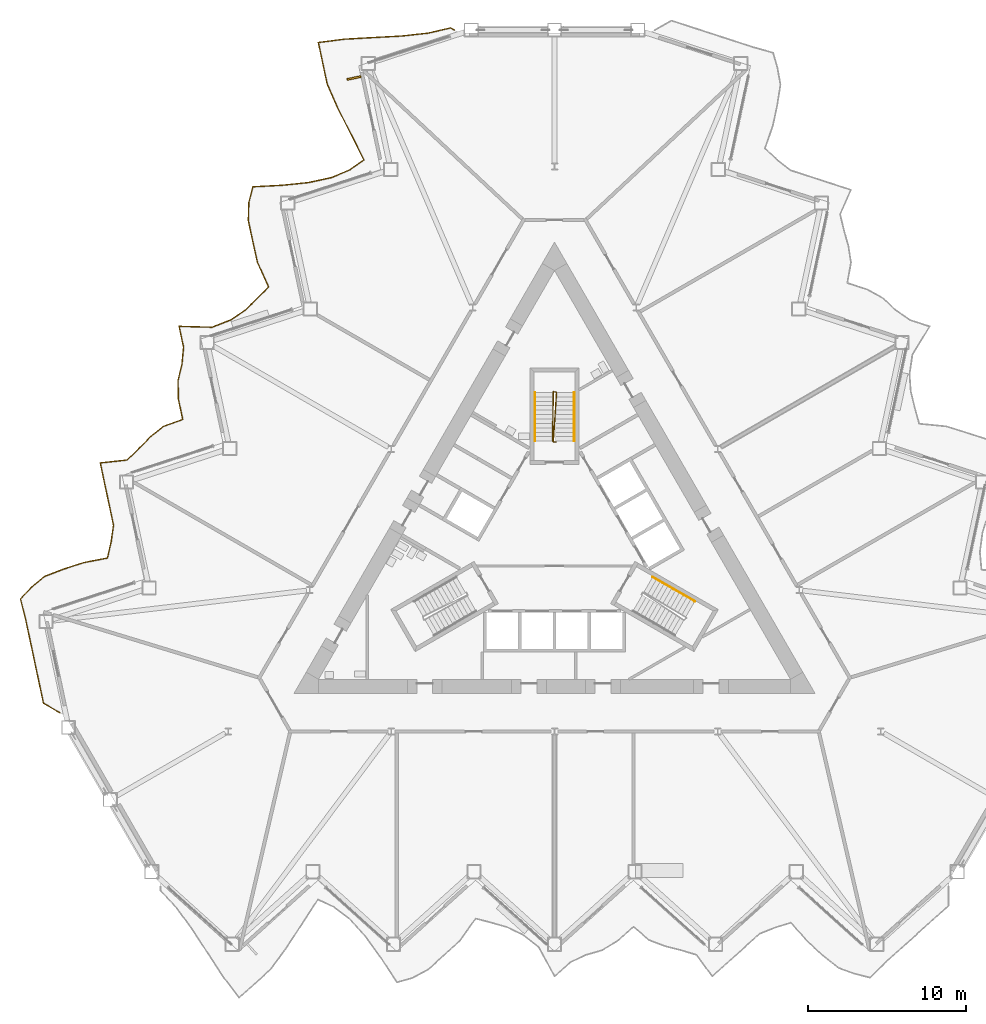
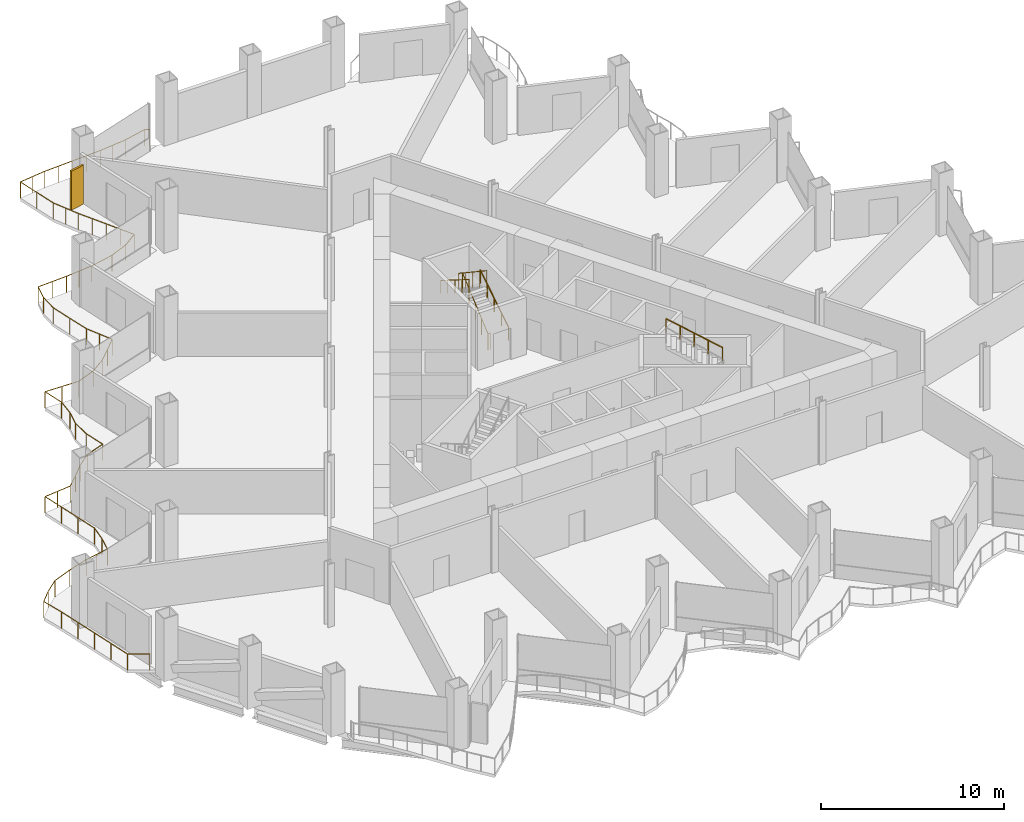
# One storey, part 18 of 21: 5 railings, 1 shading device.
"""IFC4 building model written with IfcOpenShell, lengths in metres."""

from ifc_helpers import new_model, si_unit, direction, frame, origin, origin_2d, place, context, subcontext, project, spatial, rectangle, circle, extrude, material, layer, layer_set, type_object, element, save


model = new_model("IFC4")

# Units and contexts
model_context = context("Model", 3, precision=1e-05, world=origin(), true_north=direction((0.0, 1.0)))
body_context = subcontext(model_context, "Body", "Model", "MODEL_VIEW")
ifc_project = project(units=[si_unit("LENGTHUNIT", "METRE"), si_unit("AREAUNIT", "SQUARE_METRE"), si_unit("VOLUMEUNIT", "CUBIC_METRE"), si_unit("PLANEANGLEUNIT", "RADIAN"), si_unit("MASSUNIT", "GRAM", prefix="KILO")], contexts=[model_context])

# Site, building, storey
site_placement = place(None, origin())
site = spatial("IfcSite", under=ifc_project, at=site_placement, CompositionType="ELEMENT")
building_placement = place(site_placement, origin())
building = spatial("IfcBuilding", under=site, at=building_placement, Name="Cormorant Prow Tower", CompositionType="ELEMENT")
storey_placement = place(building_placement, frame((0.0, 0.0, 103.800048828125)))
storey = spatial("IfcBuildingStorey", under=building, at=storey_placement, Name="L21", CompositionType="ELEMENT", Elevation=103.800048828125)

# Railings
ifc_material_1 = material(Name="Aluminium 6063-T6", Category="aluminium")
railing_type_1 = type_object("IfcRailingType", Name="Balcony guard 1100", PredefinedType="GUARDRAIL", material=ifc_material_1)
railing_1_placement = place(storey_placement, frame((-6.34130859375, 32.486328125, 0.0)))
element("IfcRailing", 1, at=railing_1_placement, inside=storey, type_object=railing_type_1, Name="Balcony guard WNW", PredefinedType="GUARDRAIL", context=body_context, shape_type="SweptSolid", body=[
    extrude(circle(Radius=0.02392578125, at=origin_2d()), frame((0.0, 0.0, 1.076171875), z_axis=(-0.866065156741, 0.499931139538, 0.0), x_axis=(-0.499931139538, -0.866065156741, 0.0)), (0.0, 0.0, 1.0), 0.27001953125),
    extrude(circle(Radius=0.02392578125, at=origin_2d()), frame((-0.23388671875, 0.135009765625, 1.076171875), z_axis=(-0.974208031285, -0.225651748895, 0.0), x_axis=(0.225651748895, -0.974208031285, 0.0)), (0.0, 0.0, 1.0), 1.462890625),
    extrude(circle(Radius=0.02392578125, at=origin_2d()), frame((-1.658935546875, -0.195068359375, 1.076171875), z_axis=(-0.994093392197, -0.108528003713, 0.0), x_axis=(0.108528003713, -0.994093392197, 0.0)), (0.0, 0.0, 1.0), 1.689453125),
    extrude(circle(Radius=0.02392578125, at=origin_2d()), frame((-3.33837890625, -0.37841796875, 1.076171875), z_axis=(-0.998513329159, -0.054508086473, 0.0), x_axis=(0.054508086473, -0.998513329159, 0.0)), (0.0, 0.0, 1.0), 1.827392578125),
    extrude(circle(Radius=0.02392578125, at=origin_2d()), frame((-5.1630859375, -0.47802734375, 1.076171875), z_axis=(-0.998448800774, -0.055677573877, 0.0), x_axis=(0.055677573877, -0.998448800774, 0.0)), (0.0, 0.0, 1.0), 1.82421875),
    extrude(circle(Radius=0.02392578125, at=origin_2d()), frame((-6.984375, -0.57958984375, 1.076171875), z_axis=(-0.991701104637, -0.128564843805, 0.0), x_axis=(0.128564843805, -0.991701104637, 0.0)), (0.0, 0.0, 1.0), 1.64453125),
    extrude(circle(Radius=0.02392578125, at=origin_2d()), frame((-8.615234375, -0.791015625, 1.076171875), z_axis=(0.208052164707, -0.978117731544, 0.0), x_axis=(0.978117731544, 0.208052164707, 0.0)), (0.0, 0.0, 1.0), 1.343505859375),
    extrude(circle(Radius=0.02392578125, at=origin_2d()), frame((-8.335693359375, -2.105224609375, 1.076171875), z_axis=(0.207841372786, -0.978162544651, 0.0), x_axis=(0.978162544651, 0.207841372786, 0.0)), (0.0, 0.0, 1.0), 1.34375),
    extrude(circle(Radius=0.02392578125, at=origin_2d()), frame((-8.056396484375, -3.419677734375, 1.076171875), z_axis=(0.402078851304, -0.915605044402, 0.0), x_axis=(0.915605044402, 0.402078851304, 0.0)), (0.0, 0.0, 1.0), 1.686767578125),
    extrude(circle(Radius=0.02392578125, at=origin_2d()), frame((-7.378173828125, -4.964111328125, 1.076171875), z_axis=(0.453072437858, -0.891473704634, 0.0), x_axis=(0.891473704634, 0.453072437858, 0.0)), (0.0, 0.0, 1.0), 1.83056640625),
    extrude(circle(Radius=0.02392578125, at=origin_2d()), frame((-6.548828125, -6.595947265625, 1.076171875), z_axis=(0.449733437258, -0.893162826931, 0.0), x_axis=(0.893162826931, 0.449733437258, 0.0)), (0.0, 0.0, 1.0), 1.8203125),
    extrude(circle(Radius=0.02392578125, at=origin_2d()), frame((-5.730224609375, -8.2216796875, 1.076171875), z_axis=(-0.815561274573, -0.57867072452, 0.0), x_axis=(0.57867072452, -0.815561274573, 0.0)), (0.0, 0.0, 1.0), 1.0986328125),
    extrude(circle(Radius=0.02392578125, at=origin_2d()), frame((-6.626220703125, -8.857421875, 1.076171875), z_axis=(-0.922344268142, -0.386369060648, 0.0), x_axis=(0.386369060648, -0.922344268142, 0.0)), (0.0, 0.0, 1.0), 1.2548828125),
    extrude(circle(Radius=0.02392578125, at=origin_2d()), frame((-7.78369140625, -9.34228515625, 1.076171875), z_axis=(-0.977257889972, -0.212054277219, 0.0), x_axis=(0.212054277219, -0.977257889972, 0.0)), (0.0, 0.0, 1.0), 1.485107421875),
    extrude(circle(Radius=0.02392578125, at=origin_2d()), frame((-9.235107421875, -9.6572265625, 1.076171875), z_axis=(-0.994890284036, -0.100961986565, 0.0), x_axis=(0.100961986565, -0.994890284036, 0.0)), (0.0, 0.0, 1.0), 1.707275390625),
    extrude(circle(Radius=0.02392578125, at=origin_2d()), frame((-10.93359375, -9.82958984375, 1.076171875), z_axis=(-0.998629576074, -0.052335167809, 0.0), x_axis=(0.052335167809, -0.998629576074, 0.0)), (0.0, 0.0, 1.0), 1.833251953125),
    extrude(circle(Radius=0.02392578125, at=origin_2d()), frame((-12.764404296875, -9.925537109375, 1.076171875), z_axis=(-0.246410019417, -0.969165673314, 0.0), x_axis=(0.969165673314, -0.246410019417, 0.0)), (0.0, 0.0, 1.0), 1.037353515625),
    extrude(circle(Radius=0.02392578125, at=origin_2d()), frame((-13.02001953125, -10.930908203125, 1.076171875), z_axis=(-0.025561048195, -0.999673263029, 0.0), x_axis=(0.999673263029, -0.025561048195, 0.0)), (0.0, 0.0, 1.0), 1.13671875),
    extrude(circle(Radius=0.02392578125, at=origin_2d()), frame((-13.049072265625, -12.067138671875, 1.076171875), z_axis=(0.207878315131, -0.97815469436, 0.0), x_axis=(0.97815469436, 0.207878315131, 0.0)), (0.0, 0.0, 1.0), 1.343505859375),
    extrude(circle(Radius=0.02392578125, at=origin_2d()), frame((-12.769775390625, -13.38134765625, 1.076171875), z_axis=(0.217978561128, -0.975953557752, 0.0), x_axis=(0.975953557752, 0.217978561128, 0.0)), (0.0, 0.0, 1.0), 1.3564453125),
    extrude(circle(Radius=0.02392578125, at=origin_2d()), frame((-12.47412109375, -14.705078125, 1.076171875), z_axis=(0.413256064466, -0.910614861059, 0.0), x_axis=(0.910614861059, 0.413256064466, 0.0)), (0.0, 0.0, 1.0), 1.715576171875),
    extrude(circle(Radius=0.02392578125, at=origin_2d()), frame((-11.76513671875, -16.267333984375, 1.076171875), z_axis=(-0.700447621044, -0.713703811236, 0.0), x_axis=(0.713703811236, -0.700447621044, 0.0)), (0.0, 0.0, 1.0), 1.03125),
    extrude(circle(Radius=0.02392578125, at=origin_2d()), frame((-12.487548828125, -17.00341796875, 1.076171875), z_axis=(-0.719336669645, -0.694661612372, 0.0), x_axis=(0.694661612372, -0.719336669645, 0.0)), (0.0, 0.0, 1.0), 1.038818359375),
    extrude(circle(Radius=0.02392578125, at=origin_2d()), frame((-13.23486328125, -17.72509765625, 1.076171875), z_axis=(-0.826865061735, -0.562400364227, 0.0), x_axis=(0.562400364227, -0.826865061735, 0.0)), (0.0, 0.0, 1.0), 1.108642578125),
    extrude(circle(Radius=0.02392578125, at=origin_2d()), frame((-14.151611328125, -18.3486328125, 1.076171875), z_axis=(-0.92968769206, -0.368348741319, 0.0), x_axis=(0.368348741319, -0.92968769206, 0.0)), (0.0, 0.0, 1.0), 1.27392578125),
    extrude(circle(Radius=0.02392578125, at=origin_2d()), frame((-15.3359375, -18.81787109375, 1.076171875), z_axis=(-0.999634884856, 0.027020306803, 0.0), x_axis=(-0.027020306803, -0.999634884856, 0.0)), (0.0, 0.0, 1.0), 2.09619140625),
    extrude(circle(Radius=0.02392578125, at=origin_2d()), frame((-17.431396484375, -18.76123046875, 1.076171875), z_axis=(0.207878315131, -0.97815469436, 0.0), x_axis=(0.97815469436, 0.207878315131, 0.0)), (0.0, 0.0, 1.0), 1.343505859375),
    extrude(circle(Radius=0.02392578125, at=origin_2d()), frame((-17.152099609375, -20.075439453125, 1.076171875), z_axis=(-0.089635498622, -0.995974636919, 0.0), x_axis=(0.995974636919, -0.089635498622, 0.0)), (0.0, 0.0, 1.0), 1.100341796875),
    extrude(circle(Radius=0.02392578125, at=origin_2d()), frame((-17.250732421875, -21.17138671875, 1.076171875), z_axis=(-0.23678870111, -0.971561172046, 0.0), x_axis=(0.971561172046, -0.23678870111, 0.0)), (0.0, 0.0, 1.0), 1.040283203125),
    extrude(circle(Radius=0.02392578125, at=origin_2d()), frame((-17.4970703125, -22.18212890625, 1.076171875), z_axis=(0.011984000586, -0.999928189287, 0.0), x_axis=(0.999928189287, 0.011984000586, 0.0)), (0.0, 0.0, 1.0), 1.1611328125),
    extrude(circle(Radius=0.02392578125, at=origin_2d()), frame((-17.483154296875, -23.34326171875, 1.076171875), z_axis=(0.208015194261, -0.978125594674, 0.0), x_axis=(0.978125594674, 0.208015194261, 0.0)), (0.0, 0.0, 1.0), 1.34375),
    extrude(circle(Radius=0.02392578125, at=origin_2d()), frame((-17.20361328125, -24.65771484375, 1.076171875), z_axis=(-0.941072859888, -0.338203891733, 0.0), x_axis=(0.338203891733, -0.941072859888, 0.0)), (0.0, 0.0, 1.0), 1.30810546875),
    extrude(circle(Radius=0.02392578125, at=origin_2d()), frame((-18.4345703125, -25.10009765625, 1.076171875), z_axis=(-0.777090675127, -0.629388657851, 0.0), x_axis=(0.629388657851, -0.777090675127, 0.0)), (0.0, 0.0, 1.0), 1.0693359375),
    extrude(circle(Radius=0.02392578125, at=origin_2d()), frame((-19.265625, -25.773193359375, 1.076171875), z_axis=(-0.69708177797, -0.71699162814, 0.0), x_axis=(0.71699162814, -0.69708177797, 0.0)), (0.0, 0.0, 1.0), 1.030029296875),
    extrude(circle(Radius=0.02392578125, at=origin_2d()), frame((-19.983642578125, -26.51171875, 1.076171875), z_axis=(-0.72674021298, -0.686912412785, 0.0), x_axis=(0.686912412785, -0.72674021298, 0.0)), (0.0, 0.0, 1.0), 1.0419921875),
    extrude(circle(Radius=0.02392578125, at=origin_2d()), frame((-20.740966796875, -27.2275390625, 1.076171875), z_axis=(-0.994257752133, -0.107011785913, 0.0), x_axis=(0.107011785913, -0.994257752133, 0.0)), (0.0, 0.0, 1.0), 1.69287109375),
    extrude(circle(Radius=0.02392578125, at=origin_2d()), frame((-22.424072265625, -27.40869140625, 1.076171875), z_axis=(0.207841372786, -0.978162544651, 0.0), x_axis=(0.978162544651, 0.207841372786, 0.0)), (0.0, 0.0, 1.0), 1.34375),
    extrude(circle(Radius=0.02392578125, at=origin_2d()), frame((-22.144775390625, -28.72314453125, 1.076171875), z_axis=(0.207878315131, -0.97815469436, 0.0), x_axis=(0.97815469436, 0.207878315131, 0.0)), (0.0, 0.0, 1.0), 1.343505859375),
    extrude(circle(Radius=0.02392578125, at=origin_2d()), frame((-21.865478515625, -30.037353515625, 1.076171875), z_axis=(0.208052164707, -0.978117731544, 0.0), x_axis=(0.978117731544, 0.208052164707, 0.0)), (0.0, 0.0, 1.0), 1.343505859375),
    extrude(circle(Radius=0.02392578125, at=origin_2d()), frame((-21.5859375, -31.3515625, 1.076171875), z_axis=(-0.140373577636, -0.990098610595, 0.0), x_axis=(0.990098610595, -0.140373577636, 0.0)), (0.0, 0.0, 1.0), 1.07666015625),
    extrude(circle(Radius=0.02392578125, at=origin_2d()), frame((-21.737060546875, -32.41748046875, 1.076171875), z_axis=(-0.225713549711, -0.974193714554, 0.0), x_axis=(0.974193714554, -0.225713549711, 0.0)), (0.0, 0.0, 1.0), 1.043701171875),
    extrude(circle(Radius=0.02392578125, at=origin_2d()), frame((-21.97265625, -33.434326171875, 1.076171875), z_axis=(-0.982327382029, -0.18717081641, 0.0), x_axis=(0.18717081641, -0.982327382029, 0.0)), (0.0, 0.0, 1.0), 1.52880859375),
    extrude(circle(Radius=0.02392578125, at=origin_2d()), frame((-23.474365234375, -33.720458984375, 1.076171875), z_axis=(-0.951036739297, -0.309077855091, 0.0), x_axis=(0.309077855091, -0.951036739297, 0.0)), (0.0, 0.0, 1.0), 1.343505859375),
    extrude(circle(Radius=0.02392578125, at=origin_2d()), frame((-24.752197265625, -34.1357421875, 1.076171875), z_axis=(-0.933237727243, -0.359259438916, 0.0), x_axis=(0.359259438916, -0.933237727243, 0.0)), (0.0, 0.0, 1.0), 1.28369140625),
    extrude(circle(Radius=0.02392578125, at=origin_2d()), frame((-25.9501953125, -34.596923828125, 1.076171875), z_axis=(-0.766505200565, -0.642238100323, 0.0), x_axis=(0.642238100323, -0.766505200565, 0.0)), (0.0, 0.0, 1.0), 1.06298828125),
    extrude(circle(Radius=0.02392578125, at=origin_2d()), frame((-26.764892578125, -35.279541015625, 1.076171875), z_axis=(-0.694784986374, -0.719217507233, 0.0), x_axis=(0.719217507233, -0.694784986374, 0.0)), (0.0, 0.0, 1.0), 1.029296875),
    extrude(circle(Radius=0.02392578125, at=origin_2d()), frame((-27.47998046875, -36.019775390625, 1.076171875), z_axis=(0.245790720353, -0.969322919253, 0.0), x_axis=(0.969322919253, 0.245790720353, 0.0)), (0.0, 0.0, 1.0), 1.3935546875),
    extrude(circle(Radius=0.02392578125, at=origin_2d()), frame((-27.137451171875, -37.37060546875, 1.076171875), z_axis=(0.208052164707, -0.978117731544, 0.0), x_axis=(0.978117731544, 0.208052164707, 0.0)), (0.0, 0.0, 1.0), 1.343505859375),
    extrude(circle(Radius=0.02392578125, at=origin_2d()), frame((-26.85791015625, -38.684814453125, 1.076171875), z_axis=(0.207841372786, -0.978162544651, 0.0), x_axis=(0.978162544651, 0.207841372786, 0.0)), (0.0, 0.0, 1.0), 1.34375),
    extrude(circle(Radius=0.02392578125, at=origin_2d()), frame((-26.57861328125, -39.999267578125, 1.076171875), z_axis=(0.207878315131, -0.97815469436, 0.0), x_axis=(0.97815469436, 0.207878315131, 0.0)), (0.0, 0.0, 1.0), 1.343505859375),
    extrude(circle(Radius=0.02392578125, at=origin_2d()), frame((-26.29931640625, -41.3134765625, 1.076171875), z_axis=(0.207841372786, -0.978162544651, 0.0), x_axis=(0.978162544651, 0.207841372786, 0.0)), (0.0, 0.0, 1.0), 1.34375),
    extrude(circle(Radius=0.02392578125, at=origin_2d()), frame((-26.02001953125, -42.6279296875, 1.076171875), z_axis=(0.866092288191, -0.499884134912, 0.0), x_axis=(0.499884134912, 0.866092288191, 0.0)), (0.0, 0.0, 1.0), 1.219970703125),
    extrude(circle(Radius=0.02099609375, at=origin_2d()), origin(), (0.0, 0.0, 1.0), 1.052001953125),
    extrude(circle(Radius=0.02099609375, at=origin_2d()), frame((-0.23388671875, 0.135009765625, 0.0)), (0.0, 0.0, 1.0), 1.052001953125),
    extrude(circle(Radius=0.02099609375, at=origin_2d()), frame((-1.658935546875, -0.195068359375, 0.0)), (0.0, 0.0, 1.0), 1.052001953125),
    extrude(circle(Radius=0.02099609375, at=origin_2d()), frame((-2.49853515625, -0.28662109375, 0.0)), (0.0, 0.0, 1.0), 1.052001953125),
    extrude(circle(Radius=0.02099609375, at=origin_2d()), frame((-3.33837890625, -0.37841796875, 0.0)), (0.0, 0.0, 1.0), 1.052001953125),
    extrude(circle(Radius=0.02099609375, at=origin_2d()), frame((-4.250732421875, -0.42822265625, 0.0)), (0.0, 0.0, 1.0), 1.052001953125),
    extrude(circle(Radius=0.02099609375, at=origin_2d()), frame((-5.1630859375, -0.47802734375, 0.0)), (0.0, 0.0, 1.0), 1.052001953125),
    extrude(circle(Radius=0.02099609375, at=origin_2d()), frame((-6.07373046875, -0.52880859375, 0.0)), (0.0, 0.0, 1.0), 1.052001953125),
    extrude(circle(Radius=0.02099609375, at=origin_2d()), frame((-6.984375, -0.57958984375, 0.0)), (0.0, 0.0, 1.0), 1.052001953125),
    extrude(circle(Radius=0.02099609375, at=origin_2d()), frame((-7.7998046875, -0.685302734375, 0.0)), (0.0, 0.0, 1.0), 1.052001953125),
    extrude(circle(Radius=0.02099609375, at=origin_2d()), frame((-8.615234375, -0.791015625, 0.0)), (0.0, 0.0, 1.0), 1.052001953125),
    extrude(circle(Radius=0.02099609375, at=origin_2d()), frame((-8.335693359375, -2.105224609375, 0.0)), (0.0, 0.0, 1.0), 1.052001953125),
    extrude(circle(Radius=0.02099609375, at=origin_2d()), frame((-8.056396484375, -3.419677734375, 0.0)), (0.0, 0.0, 1.0), 1.052001953125),
    extrude(circle(Radius=0.02099609375, at=origin_2d()), frame((-7.71728515625, -4.19189453125, 0.0)), (0.0, 0.0, 1.0), 1.052001953125),
    extrude(circle(Radius=0.02099609375, at=origin_2d()), frame((-7.378173828125, -4.964111328125, 0.0)), (0.0, 0.0, 1.0), 1.052001953125),
    extrude(circle(Radius=0.02099609375, at=origin_2d()), frame((-6.96337890625, -5.780029296875, 0.0)), (0.0, 0.0, 1.0), 1.052001953125),
    extrude(circle(Radius=0.02099609375, at=origin_2d()), frame((-6.548828125, -6.595947265625, 0.0)), (0.0, 0.0, 1.0), 1.052001953125),
    extrude(circle(Radius=0.02099609375, at=origin_2d()), frame((-6.1396484375, -7.40869140625, 0.0)), (0.0, 0.0, 1.0), 1.052001953125),
    extrude(circle(Radius=0.02099609375, at=origin_2d()), frame((-5.730224609375, -8.2216796875, 0.0)), (0.0, 0.0, 1.0), 1.052001953125),
    extrude(circle(Radius=0.02099609375, at=origin_2d()), frame((-6.626220703125, -8.857421875, 0.0)), (0.0, 0.0, 1.0), 1.052001953125),
    extrude(circle(Radius=0.02099609375, at=origin_2d()), frame((-7.78369140625, -9.34228515625, 0.0)), (0.0, 0.0, 1.0), 1.052001953125),
    extrude(circle(Radius=0.02099609375, at=origin_2d()), frame((-9.235107421875, -9.6572265625, 0.0)), (0.0, 0.0, 1.0), 1.052001953125),
    extrude(circle(Radius=0.02099609375, at=origin_2d()), frame((-10.08447265625, -9.743408203125, 0.0)), (0.0, 0.0, 1.0), 1.052001953125),
    extrude(circle(Radius=0.02099609375, at=origin_2d()), frame((-10.93359375, -9.82958984375, 0.0)), (0.0, 0.0, 1.0), 1.052001953125),
    extrude(circle(Radius=0.02099609375, at=origin_2d()), frame((-11.84912109375, -9.87744140625, 0.0)), (0.0, 0.0, 1.0), 1.052001953125),
    extrude(circle(Radius=0.02099609375, at=origin_2d()), frame((-12.764404296875, -9.925537109375, 0.0)), (0.0, 0.0, 1.0), 1.052001953125),
    extrude(circle(Radius=0.02099609375, at=origin_2d()), frame((-13.02001953125, -10.930908203125, 0.0)), (0.0, 0.0, 1.0), 1.052001953125),
    extrude(circle(Radius=0.02099609375, at=origin_2d()), frame((-13.049072265625, -12.067138671875, 0.0)), (0.0, 0.0, 1.0), 1.052001953125),
    extrude(circle(Radius=0.02099609375, at=origin_2d()), frame((-12.769775390625, -13.38134765625, 0.0)), (0.0, 0.0, 1.0), 1.052001953125),
    extrude(circle(Radius=0.02099609375, at=origin_2d()), frame((-12.47412109375, -14.705078125, 0.0)), (0.0, 0.0, 1.0), 1.052001953125),
    extrude(circle(Radius=0.02099609375, at=origin_2d()), frame((-12.11962890625, -15.486328125, 0.0)), (0.0, 0.0, 1.0), 1.052001953125),
    extrude(circle(Radius=0.02099609375, at=origin_2d()), frame((-11.76513671875, -16.267333984375, 0.0)), (0.0, 0.0, 1.0), 1.052001953125),
    extrude(circle(Radius=0.02099609375, at=origin_2d()), frame((-12.487548828125, -17.00341796875, 0.0)), (0.0, 0.0, 1.0), 1.052001953125),
    extrude(circle(Radius=0.02099609375, at=origin_2d()), frame((-13.23486328125, -17.72509765625, 0.0)), (0.0, 0.0, 1.0), 1.052001953125),
    extrude(circle(Radius=0.02099609375, at=origin_2d()), frame((-14.151611328125, -18.3486328125, 0.0)), (0.0, 0.0, 1.0), 1.052001953125),
    extrude(circle(Radius=0.02099609375, at=origin_2d()), frame((-15.3359375, -18.81787109375, 0.0)), (0.0, 0.0, 1.0), 1.052001953125),
    extrude(circle(Radius=0.02099609375, at=origin_2d()), frame((-16.3837890625, -18.78955078125, 0.0)), (0.0, 0.0, 1.0), 1.052001953125),
    extrude(circle(Radius=0.02099609375, at=origin_2d()), frame((-17.431396484375, -18.76123046875, 0.0)), (0.0, 0.0, 1.0), 1.052001953125),
    extrude(circle(Radius=0.02099609375, at=origin_2d()), frame((-17.152099609375, -20.075439453125, 0.0)), (0.0, 0.0, 1.0), 1.052001953125),
    extrude(circle(Radius=0.02099609375, at=origin_2d()), frame((-17.250732421875, -21.17138671875, 0.0)), (0.0, 0.0, 1.0), 1.052001953125),
    extrude(circle(Radius=0.02099609375, at=origin_2d()), frame((-17.4970703125, -22.18212890625, 0.0)), (0.0, 0.0, 1.0), 1.052001953125),
    extrude(circle(Radius=0.02099609375, at=origin_2d()), frame((-17.483154296875, -23.34326171875, 0.0)), (0.0, 0.0, 1.0), 1.052001953125),
    extrude(circle(Radius=0.02099609375, at=origin_2d()), frame((-17.20361328125, -24.65771484375, 0.0)), (0.0, 0.0, 1.0), 1.052001953125),
    extrude(circle(Radius=0.02099609375, at=origin_2d()), frame((-18.4345703125, -25.10009765625, 0.0)), (0.0, 0.0, 1.0), 1.052001953125),
    extrude(circle(Radius=0.02099609375, at=origin_2d()), frame((-19.265625, -25.773193359375, 0.0)), (0.0, 0.0, 1.0), 1.052001953125),
    extrude(circle(Radius=0.02099609375, at=origin_2d()), frame((-19.983642578125, -26.51171875, 0.0)), (0.0, 0.0, 1.0), 1.052001953125),
    extrude(circle(Radius=0.02099609375, at=origin_2d()), frame((-20.740966796875, -27.2275390625, 0.0)), (0.0, 0.0, 1.0), 1.052001953125),
    extrude(circle(Radius=0.02099609375, at=origin_2d()), frame((-21.58251953125, -27.318115234375, 0.0)), (0.0, 0.0, 1.0), 1.052001953125),
    extrude(circle(Radius=0.02099609375, at=origin_2d()), frame((-22.424072265625, -27.40869140625, 0.0)), (0.0, 0.0, 1.0), 1.052001953125),
    extrude(circle(Radius=0.02099609375, at=origin_2d()), frame((-22.144775390625, -28.72314453125, 0.0)), (0.0, 0.0, 1.0), 1.052001953125),
    extrude(circle(Radius=0.02099609375, at=origin_2d()), frame((-21.865478515625, -30.037353515625, 0.0)), (0.0, 0.0, 1.0), 1.052001953125),
    extrude(circle(Radius=0.02099609375, at=origin_2d()), frame((-21.5859375, -31.3515625, 0.0)), (0.0, 0.0, 1.0), 1.052001953125),
    extrude(circle(Radius=0.02099609375, at=origin_2d()), frame((-21.737060546875, -32.41748046875, 0.0)), (0.0, 0.0, 1.0), 1.052001953125),
    extrude(circle(Radius=0.02099609375, at=origin_2d()), frame((-21.97265625, -33.434326171875, 0.0)), (0.0, 0.0, 1.0), 1.052001953125),
    extrude(circle(Radius=0.02099609375, at=origin_2d()), frame((-22.7236328125, -33.577392578125, 0.0)), (0.0, 0.0, 1.0), 1.052001953125),
    extrude(circle(Radius=0.02099609375, at=origin_2d()), frame((-23.474365234375, -33.720458984375, 0.0)), (0.0, 0.0, 1.0), 1.052001953125),
    extrude(circle(Radius=0.02099609375, at=origin_2d()), frame((-24.752197265625, -34.1357421875, 0.0)), (0.0, 0.0, 1.0), 1.052001953125),
    extrude(circle(Radius=0.02099609375, at=origin_2d()), frame((-25.9501953125, -34.596923828125, 0.0)), (0.0, 0.0, 1.0), 1.052001953125),
    extrude(circle(Radius=0.02099609375, at=origin_2d()), frame((-26.764892578125, -35.279541015625, 0.0)), (0.0, 0.0, 1.0), 1.052001953125),
    extrude(circle(Radius=0.02099609375, at=origin_2d()), frame((-27.47998046875, -36.019775390625, 0.0)), (0.0, 0.0, 1.0), 1.052001953125),
    extrude(circle(Radius=0.02099609375, at=origin_2d()), frame((-27.137451171875, -37.37060546875, 0.0)), (0.0, 0.0, 1.0), 1.052001953125),
    extrude(circle(Radius=0.02099609375, at=origin_2d()), frame((-26.85791015625, -38.684814453125, 0.0)), (0.0, 0.0, 1.0), 1.052001953125),
    extrude(circle(Radius=0.02099609375, at=origin_2d()), frame((-26.57861328125, -39.999267578125, 0.0)), (0.0, 0.0, 1.0), 1.052001953125),
    extrude(circle(Radius=0.02099609375, at=origin_2d()), frame((-26.29931640625, -41.3134765625, 0.0)), (0.0, 0.0, 1.0), 1.052001953125),
    extrude(circle(Radius=0.02099609375, at=origin_2d()), frame((-26.02001953125, -42.6279296875, 0.0)), (0.0, 0.0, 1.0), 1.052001953125),
    extrude(circle(Radius=0.02099609375, at=origin_2d()), frame((-24.96337890625, -43.23779296875, 0.0)), (0.0, 0.0, 1.0), 1.052001953125),
])
ifc_material_2 = material(Name="Stainless steel", Category="steel")
railing_type_2 = type_object("IfcRailingType", Name="Stair guard 1100", PredefinedType="GUARDRAIL", material=ifc_material_2)
railing_2_placement = place(storey_placement, frame((0.074951171875, 6.40576171875, 0.0)))
element("IfcRailing", 2, at=railing_2_placement, inside=storey, type_object=railing_type_2, Name="L21 ST3 stair guard 1", PredefinedType="GUARDRAIL", context=body_context, shape_type="SweptSolid", body=[
    extrude(circle(Radius=0.02392578125, at=origin_2d()), frame((0.0, 0.0, 1.076171875), z_axis=(-1.0, 0.0, 0.0), x_axis=(0.0, -1.0, 0.0)), (0.0, 0.0, 1.0), 0.14990234375),
    extrude(circle(Radius=0.02392578125, at=origin_2d()), frame((-0.14990234375, 0.0, 1.076171875), z_axis=(0.052973824345, 0.829276437025, 0.556322177276), x_axis=(-0.997965923181, 0.063749636618, 0.0)), (0.0, 0.0, 1.0), 3.7744140625),
    extrude(circle(Radius=0.02392578125, at=origin_2d()), frame((0.050048828125, 3.130126953125, 3.17578125), z_axis=(-0.970072785993, 0.242814311512, 0.0), x_axis=(-0.242814311512, -0.970072785993, 0.0)), (0.0, 0.0, 1.0), 0.2060546875),
    extrude(circle(Radius=0.02392578125, at=origin_2d()), frame((-0.14990234375, 3.18017578125, 3.17578125), z_axis=(-0.013276620939, -0.830339302729, 0.557099967403), x_axis=(0.999872194171, -0.015987348866, 0.0)), (0.0, 0.0, 1.0), 3.769775390625),
    extrude(circle(Radius=0.02099609375, at=origin_2d()), origin(), (0.0, 0.0, 1.0), 1.052001953125),
    extrude(circle(Radius=0.02099609375, at=origin_2d()), frame((-0.14990234375, 0.0, 0.0)), (0.0, 0.0, 1.0), 1.052001953125),
    extrude(circle(Radius=0.02099609375, at=origin_2d()), frame((-0.099853515625, 0.782470703125, 0.52490234375)), (0.0, 0.0, 1.0), 1.052001953125),
    extrude(circle(Radius=0.02099609375, at=origin_2d()), frame((-0.0498046875, 1.56494140625, 1.0498046875)), (0.0, 0.0, 1.0), 1.052001953125),
    extrude(circle(Radius=0.02099609375, at=origin_2d()), frame((0.0, 2.34765625, 1.574951171875)), (0.0, 0.0, 1.0), 1.052001953125),
    extrude(circle(Radius=0.02099609375, at=origin_2d()), frame((0.050048828125, 3.130126953125, 2.099853515625)), (0.0, 0.0, 1.0), 1.052001953125),
    extrude(circle(Radius=0.02099609375, at=origin_2d()), frame((-0.14990234375, 3.18017578125, 2.099853515625)), (0.0, 0.0, 1.0), 1.052001953125),
    extrude(circle(Radius=0.02099609375, at=origin_2d()), frame((-0.162353515625, 2.397705078125, 2.625)), (0.0, 0.0, 1.0), 1.052001953125),
    extrude(circle(Radius=0.02099609375, at=origin_2d()), frame((-0.1748046875, 1.615234375, 3.14990234375)), (0.0, 0.0, 1.0), 1.052001953125),
    extrude(circle(Radius=0.02099609375, at=origin_2d()), frame((-0.1875, 0.83251953125, 3.6748046875)), (0.0, 0.0, 1.0), 1.052001953125),
    extrude(circle(Radius=0.02099609375, at=origin_2d()), frame((-0.199951171875, 0.050048828125, 4.199951171875)), (0.0, 0.0, 1.0), 1.052001953125),
])
ifc_material_3 = material(Name="Stainless steel", Category="steel")
railing_type_3 = type_object("IfcRailingType", Name="Stair handrail 900", PredefinedType="HANDRAIL", material=ifc_material_3)
railing_3_placement = place(storey_placement, frame((8.88037109375, -3.690673828125, 2.27490234375)))
element("IfcRailing", 3, at=railing_3_placement, inside=storey, type_object=railing_type_3, Name="L21 ST2 stair handrail 2", PredefinedType="HANDRAIL", context=body_context, shape_type="SweptSolid", body=[
    extrude(circle(Radius=0.02392578125, at=origin_2d()), frame((0.0, 0.0, 0.8759765625), z_axis=(-0.734394994316, 0.423994474112, 0.52999309264), x_axis=(-0.499992328818, -0.866029832698, 0.0)), (0.0, 0.0, 1.0), 3.63232421875),
    extrude(circle(Radius=0.02099609375, at=origin_2d()), origin(), (0.0, 0.0, 1.0), 0.851806640625),
    extrude(circle(Radius=0.02099609375, at=origin_2d()), frame((-0.6669921875, 0.385009765625, 0.481201171875)), (0.0, 0.0, 1.0), 0.851806640625),
    extrude(circle(Radius=0.02099609375, at=origin_2d()), frame((-1.333740234375, 0.77001953125, 0.96240234375)), (0.0, 0.0, 1.0), 0.851806640625),
    extrude(circle(Radius=0.02099609375, at=origin_2d()), frame((-2.00048828125, 1.155029296875, 1.44384765625)), (0.0, 0.0, 1.0), 0.851806640625),
    extrude(circle(Radius=0.02099609375, at=origin_2d()), frame((-2.66748046875, 1.5400390625, 1.925048828125)), (0.0, 0.0, 1.0), 0.851806640625),
])
railing_4_placement = place(storey_placement, frame((1.243896484375, 6.455810546875, 0.175048828125)))
element("IfcRailing", 4, at=railing_4_placement, inside=storey, type_object=railing_type_3, Name="L21 ST3 stair handrail 1", PredefinedType="HANDRAIL", context=body_context, shape_type="SweptSolid", body=[
    extrude(circle(Radius=0.02392578125, at=origin_2d()), frame((0.0, 0.0, 0.8759765625), z_axis=(0.0, 0.848028513186, 0.529950602248), x_axis=(-1.0, 0.0, 0.0)), (0.0, 0.0, 1.0), 3.632080078125),
    extrude(circle(Radius=0.02099609375, at=origin_2d()), origin(), (0.0, 0.0, 1.0), 0.851806640625),
    extrude(circle(Radius=0.02099609375, at=origin_2d()), frame((0.0, 0.77001953125, 0.481201171875)), (0.0, 0.0, 1.0), 0.851806640625),
    extrude(circle(Radius=0.02099609375, at=origin_2d()), frame((0.0, 1.5400390625, 0.96240234375)), (0.0, 0.0, 1.0), 0.851806640625),
    extrude(circle(Radius=0.02099609375, at=origin_2d()), frame((0.0, 2.31005859375, 1.443603515625)), (0.0, 0.0, 1.0), 0.851806640625),
    extrude(circle(Radius=0.02099609375, at=origin_2d()), frame((0.0, 3.080078125, 1.9248046875)), (0.0, 0.0, 1.0), 0.851806640625),
])
railing_5_placement = place(storey_placement, frame((-1.243896484375, 9.535888671875, 2.27490234375)))
element("IfcRailing", 5, at=railing_5_placement, inside=storey, type_object=railing_type_3, Name="L21 ST3 stair handrail 2", PredefinedType="HANDRAIL", context=body_context, shape_type="SweptSolid", body=[
    extrude(circle(Radius=0.02392578125, at=origin_2d()), frame((0.0, 0.0, 0.8759765625), z_axis=(0.0, -0.847998304005, 0.529998940003), x_axis=(1.0, 0.0, 0.0)), (0.0, 0.0, 1.0), 3.632080078125),
    extrude(circle(Radius=0.02099609375, at=origin_2d()), origin(), (0.0, 0.0, 1.0), 0.851806640625),
    extrude(circle(Radius=0.02099609375, at=origin_2d()), frame((0.0, -0.77001953125, 0.481201171875)), (0.0, 0.0, 1.0), 0.851806640625),
    extrude(circle(Radius=0.02099609375, at=origin_2d()), frame((0.0, -1.5400390625, 0.96240234375)), (0.0, 0.0, 1.0), 0.851806640625),
    extrude(circle(Radius=0.02099609375, at=origin_2d()), frame((0.0, -2.31005859375, 1.44384765625)), (0.0, 0.0, 1.0), 0.851806640625),
    extrude(circle(Radius=0.02099609375, at=origin_2d()), frame((0.0, -3.080078125, 1.925048828125)), (0.0, 0.0, 1.0), 0.851806640625),
])

# Shading device
ifc_material_4 = material(Name="Terracotta", Category="masonry")
ifc_layer = layer(ifc_material_4, 0.1201171875)
ifc_layer_set = layer_set([ifc_layer], Name="Terracotta")
shading_device_type = type_object("IfcShadingDeviceType", Name="Terracotta baguette fin 120x900x2600", PredefinedType="USERDEFINED", material=ifc_layer_set)
shading_device_placement = place(storey_placement, frame((-12.697265625, 29.446044921875, 0.0), z_axis=(0.0, 0.0, 1.0), x_axis=(0.207911769861, -0.978147583933, 0.0)))
element("IfcShadingDevice", 6, at=shading_device_placement, inside=storey, type_object=shading_device_type, Name="Baguette fin WNW01", ObjectType="BAGUETTE", PredefinedType="USERDEFINED", context=body_context, shape_type="SweptSolid", body=[
    extrude(rectangle(XDim=0.1201171875, YDim=0.89990234375, at=origin_2d()), origin(), (0.0, 0.0, 1.0), 2.60009765625),
])

save(model, "model.ifc")
